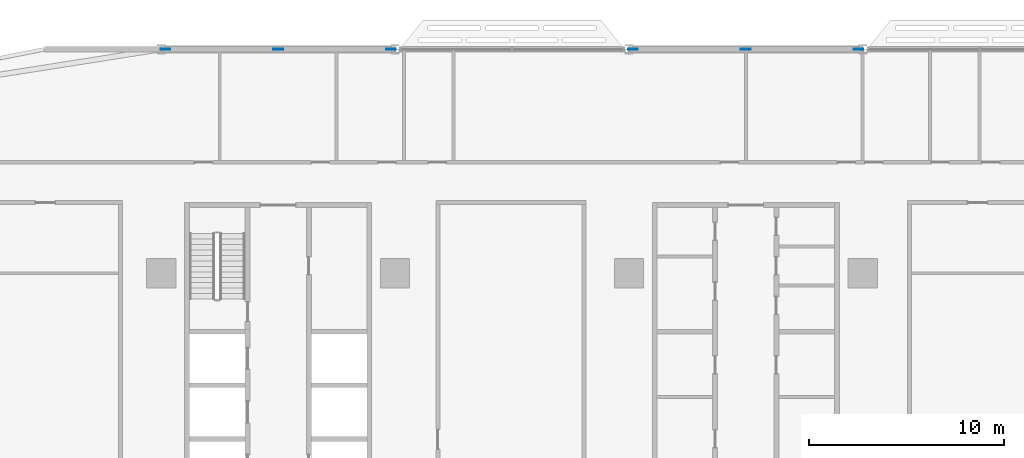
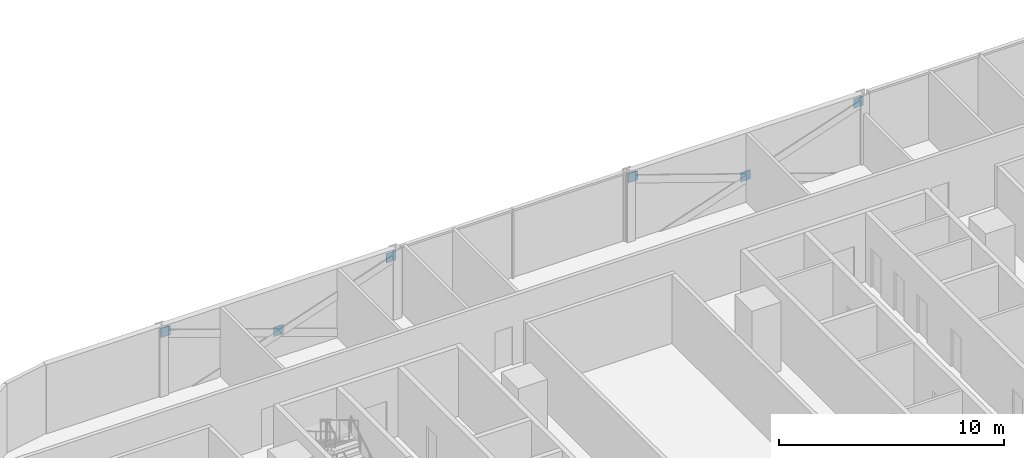
# One storey, part 21 of 29: 6 discrete accessories.
"""IFC4 building model written with IfcOpenShell, lengths in metres."""

import ifcopenshell
import ifcopenshell.guid

model = None  # the IFC model being written
_history = None  # IfcOwnerHistory: only IFC2X3 demands one
_inside = {}  # id of a spatial element -> (the spatial element, [elements in it])
_under = {}  # id of a project, library or spatial element -> (it, [spatial elements below it])
_declared = {}  # id of a project -> (the project, [libraries it declares])
_typed = {}  # id of a type object -> (the type object, [elements of that type])
_made_of = {}  # id of a material, layer set ... -> (it, [elements and type objects made of it])


def new_model(schema):
    """Start an empty IFC model of exactly this schema.

    Asked for "IFC4X3", IfcOpenShell would pick the latest addendum, in which some entities
    have other attributes; the version numbers below select the first issue.
    IFC2X3 requires an IfcOwnerHistory on every rooted entity: one is made here for all.
    """
    global model, _history
    if schema == "IFC4X3":
        model = ifcopenshell.file(schema_version=(4, 3, 0, 0))
    else:
        model = ifcopenshell.file(schema=schema)
    _inside.clear()
    _under.clear()
    _declared.clear()
    _typed.clear()
    _made_of.clear()
    _history = None
    if model.schema == "IFC2X3":
        org = make("IfcOrganization", Name="unknown")
        user = make(
            "IfcPersonAndOrganization",
            ThePerson=make("IfcPerson", FamilyName="unknown"),
            TheOrganization=org,
        )
        app = make(
            "IfcApplication",
            ApplicationDeveloper=org,
            Version="unknown",
            ApplicationFullName="unknown",
            ApplicationIdentifier="unknown",
        )
        _history = make(
            "IfcOwnerHistory",
            OwningUser=user,
            OwningApplication=app,
            ChangeAction="ADDED",
            CreationDate=0,
        )
    return model


def make(cls, **values):
    """One entity of the class cls with the attributes given. An attribute that is None is left unset."""
    return model.create_entity(
        cls, **{name: value for name, value in values.items() if value is not None}
    )


def rooted(cls, **values):
    """An entity with a GlobalId (a new one), such as an element, a storey or a relation."""
    return make(cls, GlobalId=ifcopenshell.guid.new(), OwnerHistory=_history, **values)


def si_unit(unit_type, name, prefix=None):
    """IfcSIUnit, for example si_unit("LENGTHUNIT", "METRE", prefix="MILLI")."""
    return make("IfcSIUnit", UnitType=unit_type, Prefix=prefix, Name=name)


def assignment(units):
    """IfcUnitAssignment: the units of a project."""
    return None if units is None else make("IfcUnitAssignment", Units=units)


def point(xyz):
    """IfcCartesianPoint."""
    return None if xyz is None else make("IfcCartesianPoint", Coordinates=xyz)


def direction(xyz):
    """IfcDirection."""
    return None if xyz is None else make("IfcDirection", DirectionRatios=xyz)


def frame(location, z_axis=None, x_axis=None):
    """IfcAxis2Placement3D, a coordinate frame: its origin and axes. An axis left out is left unset."""
    return make(
        "IfcAxis2Placement3D",
        Location=point(location),
        Axis=direction(z_axis),
        RefDirection=direction(x_axis),
    )


def frame_2d(location, x_axis=None):
    """IfcAxis2Placement2D, a coordinate frame in the plane: its origin and x axis."""
    return make(
        "IfcAxis2Placement2D", Location=point(location), RefDirection=direction(x_axis)
    )


def origin():
    """The frame at (0, 0, 0) with its axes left unset."""
    return frame((0.0, 0.0, 0.0))


def origin_2d():
    """The frame at (0, 0) in the plane with its x axis left unset."""
    return frame_2d((0.0, 0.0))


def place(relative_to, where):
    """IfcLocalPlacement: puts the frame where relative to a parent placement (None: the world)."""
    return make(
        "IfcLocalPlacement", PlacementRelTo=relative_to, RelativePlacement=where
    )


def context(
    kind, dimensions, precision=None, world=None, true_north=None, identifier=None
):
    """IfcGeometricRepresentationContext, for example the 3D "Model" context."""
    return make(
        "IfcGeometricRepresentationContext",
        ContextIdentifier=identifier,
        ContextType=kind,
        CoordinateSpaceDimension=dimensions,
        Precision=precision,
        WorldCoordinateSystem=world,
        TrueNorth=true_north,
    )


def subcontext(parent, identifier, kind, view, scale=None):
    """IfcGeometricRepresentationSubContext, for example "Body" below "Model"."""
    return make(
        "IfcGeometricRepresentationSubContext",
        ContextIdentifier=identifier,
        ContextType=kind,
        ParentContext=parent,
        TargetScale=scale,
        TargetView=view,
    )


def project(units=None, contexts=None):
    """IfcProject with its units and contexts."""
    return rooted(
        "IfcProject",
        Name="project",
        RepresentationContexts=contexts,
        UnitsInContext=assignment(units),
    )


def spatial(cls, under=None, at=None, **own):
    """A site, building, storey or space (cls), placed at a placement, below another one or the project."""
    s = rooted(cls, ObjectPlacement=at, **own)
    if under is not None:
        _under.setdefault(under.id(), (under, []))[1].append(s)
    return s


def profile(cls, at=None, kind="AREA", **sizes):
    """A parametric profile (cls). Its sizes go by their IFC names, for example OverallWidth=200.0."""
    return make(cls, ProfileType=kind, Position=at, **sizes)


def rectangle(**sizes):
    """IfcRectangleProfileDef."""
    return profile("IfcRectangleProfileDef", **sizes)


def extrude(swept, where, along, depth):
    """IfcExtrudedAreaSolid: the profile swept, set in the frame where, extruded along a direction by depth."""
    return make(
        "IfcExtrudedAreaSolid",
        SweptArea=swept,
        Position=where,
        ExtrudedDirection=direction(along),
        Depth=depth,
    )


def shape(context_of_items, identifier, shape_type, items):
    """IfcShapeRepresentation: the items that make up one representation, for example the "Body"."""
    return make(
        "IfcShapeRepresentation",
        ContextOfItems=context_of_items,
        RepresentationIdentifier=identifier,
        RepresentationType=shape_type,
        Items=items,
    )


def material(Name=None, Category=None):
    """IfcMaterial."""
    return make("IfcMaterial", Name=Name, Category=Category)


def layer(
    of_material, thickness, ventilated=None, Name=None, Category=None, Priority=None
):
    """IfcMaterialLayer: one layer of a wall or slab, of a material (None: an air gap)."""
    return make(
        "IfcMaterialLayer",
        Material=of_material,
        LayerThickness=thickness,
        IsVentilated=ventilated,
        Name=Name,
        Category=Category,
        Priority=Priority,
    )


def layer_set(layers, Name=None):
    """IfcMaterialLayerSet."""
    return make("IfcMaterialLayerSet", MaterialLayers=layers, LayerSetName=Name)


def made_of(thing, what):
    """Note that an element or type object is made of a material, layer set ...; save() writes the relation."""
    if what is not None:
        _made_of.setdefault(what.id(), (what, []))[1].append(thing)
    return thing


def type_object(cls, material=None, **own):
    """A type object (cls), such as IfcWallType, which elements share."""
    return made_of(rooted(cls, **own), material)


def element(
    cls,
    number,
    at=None,
    inside=None,
    cuts=None,
    type_object=None,
    material=None,
    context=None,
    identifier="Body",
    shape_type=None,
    held_by="IfcProductDefinitionShape",
    body=None,
    shapes=None,
    **own,
):
    """One element of the class cls, such as IfcWall. Its Tag is "e" and its number.

    at: its placement. inside: the storey or other place that contains it. cuts: it is an
    opening in that element (IfcRelVoidsElement). A single representation is given by context,
    identifier, shape_type and body (its items); several are given by shapes. held_by: the class
    of the entity that holds the representations. save() writes the other relations.
    """
    e = rooted(cls, Tag="e%d" % number, ObjectPlacement=at, **own)
    if body is not None:
        shapes = [shape(context, identifier, shape_type, body)]
    if shapes is not None:
        e.Representation = make(held_by, Representations=shapes)
    if inside is not None:
        _inside.setdefault(inside.id(), (inside, []))[1].append(e)
    if cuts is not None:
        rooted(
            "IfcRelVoidsElement", RelatingBuildingElement=cuts, RelatedOpeningElement=e
        )
    if type_object is not None:
        _typed.setdefault(type_object.id(), (type_object, []))[1].append(e)
    return made_of(e, material)


def aggregate(whole, parts):
    """IfcRelAggregates: a whole, such as a stair, and the parts it consists of."""
    return rooted("IfcRelAggregates", RelatingObject=whole, RelatedObjects=parts)


def save(model, path):
    """Write the relations noted so far, then the file.

    IfcRelAggregates (storeys below a building ...), IfcRelContainedInSpatialStructure (elements
    in a storey), IfcRelDefinesByType, IfcRelAssociatesMaterial and IfcRelDeclares: one each for
    every whole, place, type object, material and project.
    """
    for whole, parts in _under.values():
        aggregate(whole, parts)
    for where, things in _inside.values():
        rooted(
            "IfcRelContainedInSpatialStructure",
            RelatedElements=things,
            RelatingStructure=where,
        )
    for kind, things in _typed.values():
        rooted("IfcRelDefinesByType", RelatedObjects=things, RelatingType=kind)
    for what, things in _made_of.values():
        rooted("IfcRelAssociatesMaterial", RelatedObjects=things, RelatingMaterial=what)
    for by, libraries in _declared.values():
        rooted("IfcRelDeclares", RelatingContext=by, RelatedDefinitions=libraries)
    model.write(path)


model = new_model("IFC4")

# Units and contexts
model_context = context("Model", 3, precision=1e-05, world=origin(), true_north=direction((0.0, 1.0)))
body_context = subcontext(model_context, "Body", "Model", "MODEL_VIEW")
ifc_project = project(units=[si_unit("LENGTHUNIT", "METRE"), si_unit("AREAUNIT", "SQUARE_METRE"), si_unit("VOLUMEUNIT", "CUBIC_METRE"), si_unit("PLANEANGLEUNIT", "RADIAN"), si_unit("MASSUNIT", "GRAM", prefix="KILO")], contexts=[model_context])

# Site, building, storey
site_placement = place(None, origin())
site = spatial("IfcSite", under=ifc_project, at=site_placement, CompositionType="ELEMENT")
building_placement = place(site_placement, origin())
building = spatial("IfcBuilding", under=site, at=building_placement, Name="Mahtab Terrace Research Tower", CompositionType="ELEMENT")
storey_placement = place(building_placement, frame((0.0, 0.0, 76.10009765625)))
storey = spatial("IfcBuildingStorey", under=building, at=storey_placement, Name="L17", CompositionType="ELEMENT", Elevation=76.10009765625)

# Discrete accessories
ifc_material = material(Name="Steel ASTM A992 Gr 50", Category="steel")
ifc_layer = layer(ifc_material, 0.030029296875)
ifc_layer_set = layer_set([ifc_layer], Name="Gusset plate 500x500x30")
discrete_accessory_type = type_object("IfcDiscreteAccessoryType", Name="Gusset plate 500x500x30", PredefinedType="USERDEFINED", material=ifc_layer_set)
for number, where, z_axis, x_axis, name in (
    (1, (-29.787841796875, 23.0, 3.04931640625), (0.0, 0.0, 1.0), (1.0, 0.0, 0.0), "Gusset plate"),
    (2, (-24.0, 23.0, 1.076416015625), (0.0, 0.0, 1.0), (1.0, 0.0, 0.0), "Gusset plate"),
    (3, (-18.212158203125, 23.0, 3.04931640625), (0.0, 0.0, 1.0), (1.0, 0.0, 0.0), "Gusset plate"),
    (4, (-5.787841796875, 23.0, 3.04931640625), (0.0, 0.0, 1.0), (1.0, 0.0, 0.0), "Gusset plate"),
    (5, (0.0, 23.0, 1.076416015625), (0.0, 0.0, 1.0), (1.0, 0.0, 0.0), "Gusset plate"),
    (6, (5.787841796875, 23.0, 3.04931640625), (0.0, 0.0, 1.0), (1.0, 0.0, 0.0), "Gusset plate"),
):
    element("IfcDiscreteAccessory", number, at=place(storey_placement, frame(where, z_axis=z_axis, x_axis=x_axis)), inside=storey, type_object=discrete_accessory_type, Name=name, ObjectType="GUSSET PLATE", PredefinedType="USERDEFINED", context=body_context, shape_type="SweptSolid", body=[
        extrude(rectangle(XDim=0.5, YDim=0.030029296875, at=origin_2d()), origin(), (0.0, 0.0, 1.0), 0.5),
    ])

save(model, "model.ifc")
